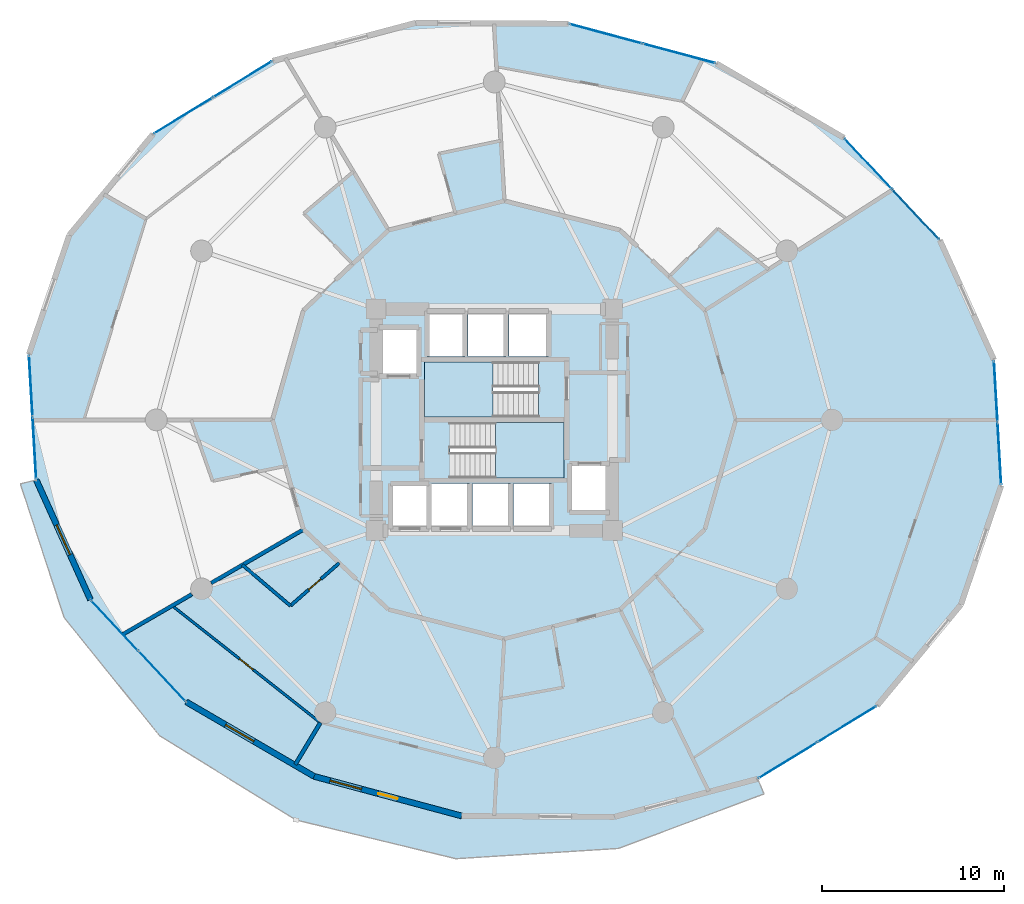
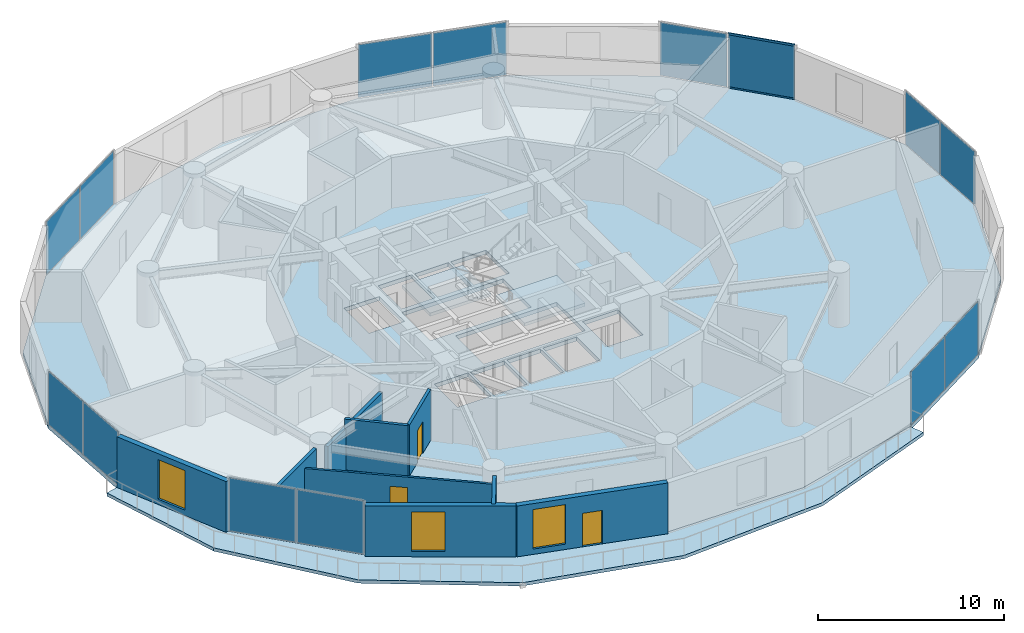
# One storey, part 16 of 23: 14 plates, 9 walls, 4 slabs, 3 doors, 3 windows, 2 members, 6 openings, 9 elements without a shape of their own.
"""IFC4 building model written with IfcOpenShell, lengths in metres."""

from ifc_helpers import new_model, si_unit, direction, frame, frame_2d, origin, origin_2d, place, context, subcontext, project, spatial, polyline, rectangle, hollow_rectangle, outline, extrude, source, transform, mapped, material, layer, layer_set, material_profile, profile_set, type_object, element, fill, aggregate, save


model = new_model("IFC4")

# Units and contexts
model_context = context("Model", 3, precision=1e-05, world=origin(), true_north=direction((0.0, 1.0)))
body_context = subcontext(model_context, "Body", "Model", "MODEL_VIEW")
ifc_project = project(units=[si_unit("LENGTHUNIT", "METRE"), si_unit("AREAUNIT", "SQUARE_METRE"), si_unit("VOLUMEUNIT", "CUBIC_METRE"), si_unit("PLANEANGLEUNIT", "RADIAN"), si_unit("MASSUNIT", "GRAM", prefix="KILO")], contexts=[model_context])

# Site, building, storey
site_placement = place(None, origin())
site = spatial("IfcSite", under=ifc_project, at=site_placement, CompositionType="ELEMENT")
building_placement = place(site_placement, origin())
building = spatial("IfcBuilding", under=site, at=building_placement, Name="Solvirekh Grand Hotel", CompositionType="ELEMENT")
storey_placement = place(building_placement, frame((0.0, 0.0, 39.199951171875)))
storey = spatial("IfcBuildingStorey", under=building, at=storey_placement, Name="L08", CompositionType="ELEMENT", Elevation=39.199951171875)

# Curtain wall, members
ifc_material_1 = material(Name="Anodized Bronze Aluminium 6063-T6", Category="aluminium")
ifc_layer_1 = layer(ifc_material_1, 0.18994140625)
ifc_layer_set_1 = layer_set([ifc_layer_1], Name="Anodized Bronze Aluminium 6063-T6")
curtain_wall_type = type_object("IfcCurtainWallType", Name="CW_Sys2_LowZoneFlushBronzeCW", PredefinedType="NOTDEFINED", material=ifc_layer_set_1)
curtain_wall_1_placement = place(storey_placement, origin())
curtain_wall_1 = element("IfcCurtainWall", 1, at=curtain_wall_1_placement, inside=storey, type_object=curtain_wall_type, Name="L08 unitised bronze-glass curtain wall CW-L08-C03", PredefinedType="NOTDEFINED")
ifc_material_profile = material_profile(ifc_material_1, hollow_rectangle(XDim=0.06005859375, YDim=0.135009765625, WallThickness=0.00390625, at=origin_2d()), Name="ALU RHS 135X60X4")
ifc_profile_set = profile_set([ifc_material_profile], Name="Anodized Bronze Aluminium 6063-T6")
member_type = type_object("IfcMemberType", Name="CWTransom_Sys2", PredefinedType="USERDEFINED", material=ifc_profile_set)
shared_shape_1 = source(origin(), body_context, "Body", "SweptSolid", [
    extrude(hollow_rectangle(XDim=0.06005859375, YDim=0.135009765625, WallThickness=0.00390625, at=origin_2d()), origin(), (0.0, 0.0, 1.0), 3.747802734375),
])
member_1_placement = place(storey_placement, frame((24.47802734375, 9.947021484375, 0.030029296875), z_axis=(-0.683871784329, 0.729602208466, 0.0), x_axis=(-0.729602208466, -0.683871784329, 0.0)))
member_1 = element("IfcMember", 2, at=member_1_placement, type_object=member_type, Name="U02 transom 1.1", ObjectType="TRANSOM", PredefinedType="USERDEFINED", context=body_context, shape_type="MappedRepresentation", body=[
    mapped(shared_shape_1, transform((0.0, 0.0, 0.0), x_axis=(1.0, 0.0, 0.0), y_axis=(0.0, 1.0, 0.0), z_axis=(0.0, 0.0, 1.0), scale=1.0)),
])
member_2_placement = place(storey_placement, frame((24.47802734375, 9.947021484375, 3.570068359375), z_axis=(-0.683871784329, 0.729602208466, 0.0), x_axis=(-0.729602208466, -0.683871784329, 0.0)))
member_2 = element("IfcMember", 3, at=member_2_placement, type_object=member_type, Name="U02 transom 1.2", ObjectType="TRANSOM", PredefinedType="USERDEFINED", context=body_context, shape_type="MappedRepresentation", body=[
    mapped(shared_shape_1, transform((0.0, 0.0, 0.0), x_axis=(1.0, 0.0, 0.0), y_axis=(0.0, 1.0, 0.0), z_axis=(0.0, 0.0, 1.0), scale=1.0)),
])

# Slab
ifc_material_2 = material(Name="Concrete C50/60", Category="concrete")
ifc_layer_2 = layer(ifc_material_2, 0.215087890625)
ifc_layer_set_2 = layer_set([ifc_layer_2], Name="Concrete C50/60")
slab_type_1 = type_object("IfcSlabType", Name="ExtCrescentBalc_215", PredefinedType="FLOOR", material=ifc_layer_set_2)
slab_1_placement = place(storey_placement, frame((0.0, 0.0, -0.21484375)))
element("IfcSlab", 4, at=slab_1_placement, inside=storey, type_object=slab_type_1, Name="L08 sweeping crescent balcony slab", PredefinedType="FLOOR", context=body_context, shape_type="SweptSolid", body=[
    extrude(outline(polyline([(-26.080078125, -3.52392578125), (-23.676025390625, -10.8759765625), (-18.427001953125, -17.37890625), (-10.909912109375, -22.02197265625), (-2.10693359375, -24.154052734375), (6.840087890625, -23.5869140625), (14.85009765625, -20.587890625), (14.4990234375, -19.760009765625), (6.6220703125, -21.85107421875), (-1.7900390625, -21.802978515625), (-9.9150390625, -19.62109375), (-16.9560546875, -15.51806640625), (-22.22607421875, -9.89599609375), (-25.20703125, -3.305908203125), (-26.080078125, -3.52392578125)])), origin(), (0.0, 0.0, 1.0), 0.21484375),
])

# Stair, slab
ifc_material_3 = material(Name="Concrete C40/50", Category="concrete")
stair_type = type_object("IfcStairType", Name="Stair_Core_1450", PredefinedType="HALF_TURN_STAIR", material=ifc_material_3)
stair_1_placement = place(storey_placement, origin())
stair_1 = element("IfcStair", 5, at=stair_1_placement, inside=storey, type_object=stair_type, Name="L08 Enclosed exit stair ST-1", PredefinedType="HALF_TURN_STAIR")
ifc_layer_3 = layer(ifc_material_3, 0.199951171875)
ifc_layer_set_3 = layer_set([ifc_layer_3], Name="Concrete C40/50")
slab_type_2 = type_object("IfcSlabType", Name="Landing_Stair_200", PredefinedType="LANDING", material=ifc_layer_set_3)
slab_2_placement = place(storey_placement, frame((0.0, 0.0, 1.60009765625)))
slab_2 = element("IfcSlab", 6, at=slab_2_placement, type_object=slab_type_2, Name="ST-1 landing 1", PredefinedType="LANDING", context=body_context, shape_type="SweptSolid", body=[
    extrude(outline(polyline([(0.070068359375, -3.199951171875), (3.85009765625, -3.199951171875), (3.85009765625, -0.14990234375), (0.070068359375, -0.14990234375), (0.070068359375, -3.199951171875)])), origin(), (0.0, 0.0, 1.0), 0.199951171875),
])
aggregate(stair_1, [slab_2])

stair_2_placement = place(storey_placement, origin())
stair_2 = element("IfcStair", 7, at=stair_2_placement, inside=storey, type_object=stair_type, Name="L08 Enclosed exit stair ST-2", PredefinedType="HALF_TURN_STAIR")
slab_3_placement = place(storey_placement, frame((0.0, 0.0, 1.60009765625)))
slab_3 = element("IfcSlab", 8, at=slab_3_placement, type_object=slab_type_2, Name="ST-2 landing 1", PredefinedType="LANDING", context=body_context, shape_type="SweptSolid", body=[
    extrude(outline(polyline([(-0.070068359375, 3.199951171875), (-3.85009765625, 3.199951171875), (-3.85009765625, 0.14990234375), (-0.070068359375, 0.14990234375), (-0.070068359375, 3.199951171875)])), origin(), (0.0, 0.0, 1.0), 0.199951171875),
])
aggregate(stair_2, [slab_3])

# Slab
ifc_layer_4 = layer(ifc_material_2, 0.260009765625)
ifc_layer_set_4 = layer_set([ifc_layer_4], Name="Concrete C50/60")
slab_type_3 = type_object("IfcSlabType", Name="Slab_GuestZ1_260", PredefinedType="FLOOR", material=ifc_layer_set_4)
slab_4_placement = place(storey_placement, frame((0.0, 0.0, -0.260009765625)))
element("IfcSlab", 9, at=slab_4_placement, inside=storey, type_object=slab_type_3, Name="L08 structural floor slab", PredefinedType="FLOOR", context=body_context, shape_type="SweptSolid", body=[
    extrude(outline(polyline([(27.907958984375, -3.60791015625), (27.507080078125, 3.305908203125), (24.52587890625, 9.89599609375), (19.256103515625, 15.51806640625), (12.215087890625, 19.62109375), (4.090087890625, 21.802978515625), (-4.322021484375, 21.85107421875), (-12.198974609375, 19.760009765625), (-18.76904296875, 15.73388671875), (-23.389892578125, 10.1689453125), (-25.60791015625, 3.60791015625), (-25.20703125, -3.305908203125), (-22.22607421875, -9.89599609375), (-16.9560546875, -15.51806640625), (-9.9150390625, -19.62109375), (-1.7900390625, -21.802978515625), (6.6220703125, -21.85107421875), (14.4990234375, -19.760009765625), (21.069091796875, -15.73388671875), (25.68994140625, -10.1689453125), (27.907958984375, -3.60791015625)]), holes=[polyline([(-2.444091796875, -0.14990234375), (3.85009765625, -0.14990234375), (3.85009765625, -3.199951171875), (-2.444091796875, -3.199951171875), (-2.444091796875, -0.14990234375)]), polyline([(2.444091796875, 0.14990234375), (-3.85009765625, 0.14990234375), (-3.85009765625, 3.199951171875), (2.444091796875, 3.199951171875), (2.444091796875, 0.14990234375)]), polyline([(-5.699951171875, -3.5), (-3.60009765625, -3.5), (-3.60009765625, -6.0), (-5.699951171875, -6.0), (-5.699951171875, -3.5)]), polyline([(-3.449951171875, -3.5), (-1.35009765625, -3.5), (-1.35009765625, -6.0), (-3.449951171875, -6.0), (-3.449951171875, -3.5)]), polyline([(-1.199951171875, -3.5), (0.89990234375, -3.5), (0.89990234375, -6.0), (-1.199951171875, -6.0), (-1.199951171875, -3.5)]), polyline([(1.050048828125, -3.5), (3.14990234375, -3.5), (3.14990234375, -6.0), (1.050048828125, -6.0), (1.050048828125, -3.5)]), polyline([(-3.699951171875, 6.0), (-1.60009765625, 6.0), (-1.60009765625, 3.5), (-3.699951171875, 3.5), (-3.699951171875, 6.0)]), polyline([(-1.449951171875, 6.0), (0.64990234375, 6.0), (0.64990234375, 3.5), (-1.449951171875, 3.5), (-1.449951171875, 6.0)]), polyline([(0.800048828125, 6.0), (3.0, 6.0), (3.0, 3.5), (0.800048828125, 3.5), (0.800048828125, 6.0)]), polyline([(-6.35009765625, 5.10009765625), (-4.14990234375, 5.10009765625), (-4.14990234375, 2.39990234375), (-6.35009765625, 2.39990234375), (-6.35009765625, 5.10009765625)]), polyline([(4.14990234375, -2.39990234375), (6.35009765625, -2.39990234375), (6.35009765625, -5.10009765625), (4.14990234375, -5.10009765625), (4.14990234375, -2.39990234375)])]), origin(), (0.0, 0.0, 1.0), 0.260009765625),
])

# Curtain wall, plates
curtain_wall_2_placement = place(storey_placement, origin())
curtain_wall_2 = element("IfcCurtainWall", 10, at=curtain_wall_2_placement, inside=storey, type_object=curtain_wall_type, Name="L08 unitised bronze-glass curtain wall CW-L08-C05", PredefinedType="NOTDEFINED")
ifc_material_4 = material(Name="Low-E Tinted Bronze Laminated Glass", Category="aluminium")
ifc_layer_5 = layer(ifc_material_4, 0.0380859375)
ifc_layer_set_5 = layer_set([ifc_layer_5], Name="Low-E Tinted Bronze Laminated Glass")
plate_type = type_object("IfcPlateType", Name="CWPanel_Low_38", PredefinedType="CURTAIN_PANEL", material=ifc_layer_set_5)
shared_shape_2 = source(origin(), body_context, "Body", "SweptSolid", [
    extrude(rectangle(XDim=4.1015625, YDim=0.0380859375, at=origin_2d()), origin(), (0.0, 0.0, 1.0), 3.47998046875),
])
plate_1_placement = place(storey_placement, frame((10.166748046875, 20.171142578125, 0.06005859375), z_axis=(0.0, 0.0, 1.0), x_axis=(-0.965779682058, 0.259363848145, 0.0)))
plate_1 = element("IfcPlate", 11, at=plate_1_placement, type_object=plate_type, Name="U02 panel 1.1", PredefinedType="CURTAIN_PANEL", context=body_context, shape_type="MappedRepresentation", body=[
    mapped(shared_shape_2, transform((0.0, 0.0, 0.0), x_axis=(1.0, 0.0, 0.0), y_axis=(0.0, 1.0, 0.0), z_axis=(0.0, 0.0, 1.0), scale=1.0)),
])
plate_2_placement = place(storey_placement, frame((6.13818359375, 21.2529296875, 0.06005859375), z_axis=(0.0, 0.0, 1.0), x_axis=(-0.965779682058, 0.259363848145, 0.0)))
plate_2 = element("IfcPlate", 12, at=plate_2_placement, type_object=plate_type, Name="U02 panel 2.1", PredefinedType="CURTAIN_PANEL", context=body_context, shape_type="MappedRepresentation", body=[
    mapped(shared_shape_2, transform((0.0, 0.0, 0.0), x_axis=(1.0, 0.0, 0.0), y_axis=(0.0, 1.0, 0.0), z_axis=(0.0, 0.0, 1.0), scale=1.0)),
])
aggregate(curtain_wall_2, [plate_1, plate_2])

curtain_wall_3_placement = place(storey_placement, origin())
curtain_wall_3 = element("IfcCurtainWall", 13, at=curtain_wall_3_placement, inside=storey, type_object=curtain_wall_type, Name="L08 unitised bronze-glass curtain wall CW-L08-C01", PredefinedType="NOTDEFINED")
shared_shape_3 = source(origin(), body_context, "Body", "SweptSolid", [
    extrude(rectangle(XDim=3.35791015625, YDim=0.0380859375, at=origin_2d()), origin(), (0.0, 0.0, 1.0), 3.47998046875),
])
plate_3_placement = place(storey_placement, frame((27.806640625, -1.862060546875, 0.06005859375), z_axis=(0.0, 0.0, 1.0), x_axis=(-0.057900962564, 0.998322331982, 0.0)))
plate_3 = element("IfcPlate", 14, at=plate_3_placement, type_object=plate_type, Name="U02 panel 1.1", PredefinedType="CURTAIN_PANEL", context=body_context, shape_type="MappedRepresentation", body=[
    mapped(shared_shape_3, transform((0.0, 0.0, 0.0), x_axis=(1.0, 0.0, 0.0), y_axis=(0.0, 1.0, 0.0), z_axis=(0.0, 0.0, 1.0), scale=1.0)),
])
plate_4_placement = place(storey_placement, frame((27.608154296875, 1.56005859375, 0.06005859375), z_axis=(0.0, 0.0, 1.0), x_axis=(-0.057900962564, 0.998322331982, 0.0)))
plate_4 = element("IfcPlate", 15, at=plate_4_placement, type_object=plate_type, Name="U02 panel 2.1", PredefinedType="CURTAIN_PANEL", context=body_context, shape_type="MappedRepresentation", body=[
    mapped(shared_shape_3, transform((0.0, 0.0, 0.0), x_axis=(1.0, 0.0, 0.0), y_axis=(0.0, 1.0, 0.0), z_axis=(0.0, 0.0, 1.0), scale=1.0)),
])
aggregate(curtain_wall_3, [plate_3, plate_4])

curtain_wall_4_placement = place(storey_placement, origin())
curtain_wall_4 = element("IfcCurtainWall", 16, at=curtain_wall_4_placement, inside=storey, type_object=curtain_wall_type, Name="L08 unitised bronze-glass curtain wall CW-L08-C11", PredefinedType="NOTDEFINED")
plate_5_placement = place(storey_placement, frame((-25.5068359375, 1.862060546875, 0.06005859375), z_axis=(0.0, 0.0, 1.0), x_axis=(0.057900962564, -0.998322331982, 0.0)))
plate_5 = element("IfcPlate", 17, at=plate_5_placement, type_object=plate_type, Name="U02 panel 1.1", PredefinedType="CURTAIN_PANEL", context=body_context, shape_type="MappedRepresentation", body=[
    mapped(shared_shape_3, transform((0.0, 0.0, 0.0), x_axis=(1.0, 0.0, 0.0), y_axis=(0.0, 1.0, 0.0), z_axis=(0.0, 0.0, 1.0), scale=1.0)),
])
plate_6_placement = place(storey_placement, frame((-25.308349609375, -1.56005859375, 0.06005859375), z_axis=(0.0, 0.0, 1.0), x_axis=(0.057900962564, -0.998322331982, 0.0)))
plate_6 = element("IfcPlate", 18, at=plate_6_placement, type_object=plate_type, Name="U02 panel 2.1", PredefinedType="CURTAIN_PANEL", context=body_context, shape_type="MappedRepresentation", body=[
    mapped(shared_shape_3, transform((0.0, 0.0, 0.0), x_axis=(1.0, 0.0, 0.0), y_axis=(0.0, 1.0, 0.0), z_axis=(0.0, 0.0, 1.0), scale=1.0)),
])
aggregate(curtain_wall_4, [plate_5, plate_6])

# Plate
shared_shape_4 = source(origin(), body_context, "Body", "SweptSolid", [
    extrude(rectangle(XDim=3.747802734375, YDim=0.0380859375, at=origin_2d()), origin(), (0.0, 0.0, 1.0), 3.47998046875),
])
plate_7_placement = place(storey_placement, frame((23.196533203125, 11.314208984375, 0.06005859375), z_axis=(0.0, 0.0, 1.0), x_axis=(-0.683897960309, 0.729577672277, 0.0)))
plate_7 = element("IfcPlate", 19, at=plate_7_placement, type_object=plate_type, Name="U02 panel 1.1", PredefinedType="CURTAIN_PANEL", context=body_context, shape_type="MappedRepresentation", body=[
    mapped(shared_shape_4, transform((0.0, 0.0, 0.0), x_axis=(1.0, 0.0, 0.0), y_axis=(0.0, 1.0, 0.0), z_axis=(0.0, 0.0, 1.0), scale=1.0)),
])

plate_8_placement = place(storey_placement, frame((20.58544921875, 14.099853515625, 0.06005859375), z_axis=(0.0, 0.0, 1.0), x_axis=(-0.683897960309, 0.729577672277, 0.0)))
plate_8 = element("IfcPlate", 20, at=plate_8_placement, type_object=plate_type, Name="U02 panel 2.1", PredefinedType="CURTAIN_PANEL", context=body_context, shape_type="MappedRepresentation", body=[
    mapped(shared_shape_4, transform((0.0, 0.0, 0.0), x_axis=(1.0, 0.0, 0.0), y_axis=(0.0, 1.0, 0.0), z_axis=(0.0, 0.0, 1.0), scale=1.0)),
])

aggregate(curtain_wall_1, [member_1, member_2, plate_7, plate_8])

# Curtain wall, plates
curtain_wall_5_placement = place(storey_placement, origin())
curtain_wall_5 = element("IfcCurtainWall", 21, at=curtain_wall_5_placement, inside=storey, type_object=curtain_wall_type, Name="L08 unitised bronze-glass curtain wall CW-L08-C08", PredefinedType="NOTDEFINED")
plate_9_placement = place(storey_placement, frame((-13.8564453125, 18.744384765625, 0.06005859375), z_axis=(0.0, 0.0, 1.0), x_axis=(-0.852646014098, -0.522489018681, 0.0)))
plate_9 = element("IfcPlate", 22, at=plate_9_placement, type_object=plate_type, Name="U02 panel 1.1", PredefinedType="CURTAIN_PANEL", context=body_context, shape_type="MappedRepresentation", body=[
    mapped(shared_shape_4, transform((0.0, 0.0, 0.0), x_axis=(1.0, 0.0, 0.0), y_axis=(0.0, 1.0, 0.0), z_axis=(0.0, 0.0, 1.0), scale=1.0)),
])
plate_10_placement = place(storey_placement, frame((-17.111572265625, 16.749755859375, 0.06005859375), z_axis=(0.0, 0.0, 1.0), x_axis=(-0.852646014098, -0.522489018681, 0.0)))
plate_10 = element("IfcPlate", 23, at=plate_10_placement, type_object=plate_type, Name="U02 panel 2.1", PredefinedType="CURTAIN_PANEL", context=body_context, shape_type="MappedRepresentation", body=[
    mapped(shared_shape_4, transform((0.0, 0.0, 0.0), x_axis=(1.0, 0.0, 0.0), y_axis=(0.0, 1.0, 0.0), z_axis=(0.0, 0.0, 1.0), scale=1.0)),
])
aggregate(curtain_wall_5, [plate_9, plate_10])

curtain_wall_6_placement = place(storey_placement, origin())
curtain_wall_6 = element("IfcCurtainWall", 24, at=curtain_wall_6_placement, inside=storey, type_object=curtain_wall_type, Name="L08 unitised bronze-glass curtain wall CW-L08-C13", PredefinedType="NOTDEFINED")
plate_11_placement = place(storey_placement, frame((-20.896484375, -11.314208984375, 0.06005859375), z_axis=(0.0, 0.0, 1.0), x_axis=(0.683897960309, -0.729577672277, 0.0)))
plate_11 = element("IfcPlate", 25, at=plate_11_placement, type_object=plate_type, Name="U02 panel 1.1", PredefinedType="CURTAIN_PANEL", context=body_context, shape_type="MappedRepresentation", body=[
    mapped(shared_shape_4, transform((0.0, 0.0, 0.0), x_axis=(1.0, 0.0, 0.0), y_axis=(0.0, 1.0, 0.0), z_axis=(0.0, 0.0, 1.0), scale=1.0)),
])
plate_12_placement = place(storey_placement, frame((-18.285400390625, -14.099853515625, 0.06005859375), z_axis=(0.0, 0.0, 1.0), x_axis=(0.683897960309, -0.729577672277, 0.0)))
plate_12 = element("IfcPlate", 26, at=plate_12_placement, type_object=plate_type, Name="U02 panel 2.1", PredefinedType="CURTAIN_PANEL", context=body_context, shape_type="MappedRepresentation", body=[
    mapped(shared_shape_4, transform((0.0, 0.0, 0.0), x_axis=(1.0, 0.0, 0.0), y_axis=(0.0, 1.0, 0.0), z_axis=(0.0, 0.0, 1.0), scale=1.0)),
])
aggregate(curtain_wall_6, [plate_11, plate_12])

curtain_wall_7_placement = place(storey_placement, origin())
curtain_wall_7 = element("IfcCurtainWall", 27, at=curtain_wall_7_placement, inside=storey, type_object=curtain_wall_type, Name="L08 unitised bronze-glass curtain wall CW-L08-C18", PredefinedType="NOTDEFINED")
plate_13_placement = place(storey_placement, frame((16.156494140625, -18.744384765625, 0.06005859375), z_axis=(0.0, 0.0, 1.0), x_axis=(0.852646014098, 0.522489018681, 0.0)))
plate_13 = element("IfcPlate", 28, at=plate_13_placement, type_object=plate_type, Name="U02 panel 1.1", PredefinedType="CURTAIN_PANEL", context=body_context, shape_type="MappedRepresentation", body=[
    mapped(shared_shape_4, transform((0.0, 0.0, 0.0), x_axis=(1.0, 0.0, 0.0), y_axis=(0.0, 1.0, 0.0), z_axis=(0.0, 0.0, 1.0), scale=1.0)),
])
plate_14_placement = place(storey_placement, frame((19.41162109375, -16.749755859375, 0.06005859375), z_axis=(0.0, 0.0, 1.0), x_axis=(0.852646014098, 0.522489018681, 0.0)))
plate_14 = element("IfcPlate", 29, at=plate_14_placement, type_object=plate_type, Name="U02 panel 2.1", PredefinedType="CURTAIN_PANEL", context=body_context, shape_type="MappedRepresentation", body=[
    mapped(shared_shape_4, transform((0.0, 0.0, 0.0), x_axis=(1.0, 0.0, 0.0), y_axis=(0.0, 1.0, 0.0), z_axis=(0.0, 0.0, 1.0), scale=1.0)),
])
aggregate(curtain_wall_7, [plate_13, plate_14])

# Wall, opening, window
ifc_material_5 = material(Name="Precast concrete C45/55", Category="concrete")
ifc_layer_6 = layer(ifc_material_5, 0.320068359375)
ifc_layer_set_6 = layer_set([ifc_layer_6], Name="Precast concrete C45/55")
wall_type_1 = type_object("IfcWallType", Name="ExtLobbyWall_RC320", PredefinedType="SOLIDWALL", material=ifc_layer_set_6)
wall_1_placement = place(storey_placement, frame((-22.22607421875, -9.89599609375, 0.0), z_axis=(0.0, 0.0, 1.0), x_axis=(-0.412136514118, 0.911122106927, 0.0)))
wall_1 = element("IfcWall", 30, at=wall_1_placement, inside=storey, type_object=wall_type_1, Name="L08 exterior structural wall chord 12", PredefinedType="SOLIDWALL", context=body_context, shape_type="SweptSolid", body=[
    extrude(rectangle(XDim=7.23291015625, YDim=0.320068359375, at=frame_2d((3.616455078125, 0.0))), origin(), (0.0, 0.0, 1.0), 3.340087890625),
])
opening_1_placement = place(wall_1_placement, frame((2.716064453125, 0.0, 0.35009765625)))
opening_1 = element("IfcOpeningElement", 31, at=opening_1_placement, cuts=wall_1, Name="Opening W02", PredefinedType="OPENING", context=body_context, shape_type="SweptSolid", body=[
    extrude(rectangle(XDim=1.800048828125, YDim=2.60009765625, at=frame_2d((0.89990234375, 1.300048828125))), frame((0.0, 0.169921875, 0.0), z_axis=(0.0, -1.0, 0.0), x_axis=(1.0, 0.0, 0.0)), (0.0, 0.0, 1.0), 0.340087890625),
])
window_type = type_object("IfcWindowType", Name="Win_LobbyExt_1800X2600", PartitioningType="SINGLE_PANEL", PredefinedType="WINDOW", material=ifc_material_4)
window_1_placement = place(opening_1_placement, origin())
window_1 = element("IfcWindow", 32, at=window_1_placement, inside=storey, type_object=window_type, Name="L08 panoramic bronze-framed window 12", OverallHeight=2.60009765625, OverallWidth=1.800048828125, PartitioningType="SINGLE_PANEL", PredefinedType="WINDOW", context=body_context, shape_type="SweptSolid", body=[
    extrude(rectangle(XDim=1.800048828125, YDim=2.60009765625, at=frame_2d((0.89990234375, 1.300048828125))), frame((0.0, 0.030029296875, 0.0), z_axis=(0.0, -1.0, 0.0), x_axis=(1.0, 0.0, 0.0)), (0.0, 0.0, 1.0), 0.06005859375),
])
fill(opening_1, window_1)

wall_2_placement = place(storey_placement, frame((-9.9150390625, -19.62109375, 0.0), z_axis=(0.0, 0.0, 1.0), x_axis=(-0.864004822612, 0.503483531512, 0.0)))
wall_2 = element("IfcWall", 33, at=wall_2_placement, inside=storey, type_object=wall_type_1, Name="L08 exterior structural wall chord 14", PredefinedType="SOLIDWALL", context=body_context, shape_type="SweptSolid", body=[
    extrude(rectangle(XDim=8.149169921875, YDim=0.320068359375, at=frame_2d((4.07470703125, 0.0))), origin(), (0.0, 0.0, 1.0), 3.340087890625),
])
opening_2_placement = place(wall_2_placement, frame((3.8359375, 0.0, 0.35009765625)))
opening_2 = element("IfcOpeningElement", 34, at=opening_2_placement, cuts=wall_2, Name="Opening W02", PredefinedType="OPENING", context=body_context, shape_type="SweptSolid", body=[
    extrude(rectangle(XDim=1.800048828125, YDim=2.60009765625, at=frame_2d((0.89990234375, 1.300048828125))), frame((0.0, 0.169921875, 0.0), z_axis=(0.0, -1.0, 0.0), x_axis=(1.0, 0.0, 0.0)), (0.0, 0.0, 1.0), 0.340087890625),
])
window_2_placement = place(opening_2_placement, origin())
window_2 = element("IfcWindow", 35, at=window_2_placement, inside=storey, type_object=window_type, Name="L08 panoramic bronze-framed window 14", OverallHeight=2.60009765625, OverallWidth=1.800048828125, PartitioningType="SINGLE_PANEL", PredefinedType="WINDOW", context=body_context, shape_type="SweptSolid", body=[
    extrude(rectangle(XDim=1.800048828125, YDim=2.60009765625, at=frame_2d((0.89990234375, 1.300048828125))), frame((0.0, 0.030029296875, 0.0), z_axis=(0.0, -1.0, 0.0), x_axis=(1.0, 0.0, 0.0)), (0.0, 0.0, 1.0), 0.06005859375),
])
fill(opening_2, window_2)

# Wall, openings, door, window
wall_3_placement = place(storey_placement, frame((-1.7900390625, -21.802978515625, 0.0), z_axis=(0.0, 0.0, 1.0), x_axis=(-0.965783113011, 0.259351072145, 0.0)))
wall_3 = element("IfcWall", 36, at=wall_3_placement, inside=storey, type_object=wall_type_1, Name="L08 exterior structural wall chord 15", PredefinedType="SOLIDWALL", context=body_context, shape_type="SweptSolid", body=[
    extrude(rectangle(XDim=8.412841796875, YDim=0.320068359375, at=frame_2d((4.20654296875, 0.0))), origin(), (0.0, 0.0, 1.0), 3.340087890625),
])
opening_3_placement = place(wall_3_placement, frame((5.708984375, 0.0, 0.35009765625)))
opening_3 = element("IfcOpeningElement", 37, at=opening_3_placement, cuts=wall_3, Name="Opening W02", PredefinedType="OPENING", context=body_context, shape_type="SweptSolid", body=[
    extrude(rectangle(XDim=1.800048828125, YDim=2.60009765625, at=frame_2d((0.89990234375, 1.300048828125))), frame((0.0, 0.169921875, 0.0), z_axis=(0.0, -1.0, 0.0), x_axis=(1.0, 0.0, 0.0)), (0.0, 0.0, 1.0), 0.340087890625),
])
opening_4_placement = place(wall_3_placement, frame((3.656005859375, 0.0, 0.0)))
opening_4 = element("IfcOpeningElement", 38, at=opening_4_placement, cuts=wall_3, Name="Opening D03", PredefinedType="OPENING", context=body_context, shape_type="SweptSolid", body=[
    extrude(rectangle(XDim=1.10009765625, YDim=2.199951171875, at=frame_2d((0.550048828125, 1.10009765625))), frame((0.0, 0.169921875, 0.0), z_axis=(0.0, -1.0, 0.0), x_axis=(1.0, 0.0, 0.0)), (0.0, 0.0, 1.0), 0.340087890625),
])
door_type_1 = type_object("IfcDoorType", Name="Door_ExtBalcony_1100X2200", OperationType="NOTDEFINED", PredefinedType="DOOR", material=ifc_material_1)
door_1_placement = place(opening_4_placement, origin())
door_1 = element("IfcDoor", 39, at=door_1_placement, inside=storey, type_object=door_type_1, Name="L08 Crescent balcony glazed door (15)", OperationType="SINGLE_SWING_RIGHT", OverallHeight=2.199951171875, OverallWidth=1.10009765625, PredefinedType="DOOR", context=body_context, shape_type="SweptSolid", body=[
    extrude(rectangle(XDim=1.10009765625, YDim=2.199951171875, at=frame_2d((0.550048828125, 1.10009765625))), frame((0.0, 0.02490234375, 0.0), z_axis=(0.0, -1.0, 0.0), x_axis=(1.0, 0.0, 0.0)), (0.0, 0.0, 1.0), 0.050048828125),
])
fill(opening_4, door_1)
window_3_placement = place(opening_3_placement, origin())
window_3 = element("IfcWindow", 40, at=window_3_placement, inside=storey, type_object=window_type, Name="L08 exterior side window 15", OverallHeight=2.60009765625, OverallWidth=1.800048828125, PartitioningType="SINGLE_PANEL", PredefinedType="WINDOW", context=body_context, shape_type="SweptSolid", body=[
    extrude(rectangle(XDim=1.800048828125, YDim=2.60009765625, at=frame_2d((0.89990234375, 1.300048828125))), frame((0.0, 0.030029296875, 0.0), z_axis=(0.0, -1.0, 0.0), x_axis=(1.0, 0.0, 0.0)), (0.0, 0.0, 1.0), 0.06005859375),
])
fill(opening_3, window_3)

# Wall, opening, door
ifc_material_6 = material(Name="Acoustic Gypsum Partition Assembly")
ifc_layer_7 = layer(ifc_material_6, 0.135009765625)
ifc_layer_set_7 = layer_set([ifc_layer_7], Name="Acoustic Gypsum Partition Assembly")
wall_type_2 = type_object("IfcWallType", Name="Part_RoomInt_135", PredefinedType="PARTITIONING", material=ifc_layer_set_7)
wall_4_placement = place(storey_placement, frame((-17.72900390625, -10.22705078125, 0.0), z_axis=(0.0, 0.0, 1.0), x_axis=(0.785062483649, -0.61941657773, 0.0)))
wall_4 = element("IfcWall", 41, at=wall_4_placement, inside=storey, type_object=wall_type_2, Name="L08 Executive Suite 1005 Living Room bedroom screen wall", PredefinedType="PARTITIONING", context=body_context, shape_type="SweptSolid", body=[
    extrude(rectangle(XDim=10.395263671875, YDim=0.135009765625, at=frame_2d((5.19775390625, 0.0))), origin(), (0.0, 0.0, 1.0), 2.7919921875),
])
opening_5_placement = place(wall_4_placement, frame((4.722900390625, 0.0, 0.0)))
opening_5 = element("IfcOpeningElement", 42, at=opening_5_placement, cuts=wall_4, Name="Opening D10", PredefinedType="OPENING", context=body_context, shape_type="SweptSolid", body=[
    extrude(rectangle(XDim=0.949951171875, YDim=2.10009765625, at=frame_2d((0.47509765625, 1.050048828125))), frame((0.0, 0.07763671875, 0.0), z_axis=(0.0, -1.0, 0.0), x_axis=(1.0, 0.0, 0.0)), (0.0, 0.0, 1.0), 0.155029296875),
])
door_type_2 = type_object("IfcDoorType", Name="Door_RoomInt_950X2100", OperationType="NOTDEFINED", PredefinedType="DOOR", material=ifc_material_1)
door_2_placement = place(opening_5_placement, origin())
door_2 = element("IfcDoor", 43, at=door_2_placement, inside=storey, type_object=door_type_2, Name="L08 Executive Suite 1005 Living Room master bedroom door", OperationType="SINGLE_SWING_LEFT", OverallHeight=2.10009765625, OverallWidth=0.949951171875, PredefinedType="DOOR", context=body_context, shape_type="SweptSolid", body=[
    extrude(rectangle(XDim=0.949951171875, YDim=2.10009765625, at=frame_2d((0.47509765625, 1.050048828125))), frame((0.0, 0.02490234375, 0.0), z_axis=(0.0, -1.0, 0.0), x_axis=(1.0, 0.0, 0.0)), (0.0, 0.0, 1.0), 0.050048828125),
])
fill(opening_5, door_2)

# Walls
ifc_layer_8 = layer(ifc_material_6, 0.2099609375)
ifc_layer_set_8 = layer_set([ifc_layer_8], Name="Acoustic Gypsum Partition Assembly")
wall_type_3 = type_object("IfcWallType", Name="Part_SuiteDemise_210", PredefinedType="PARTITIONING", material=ifc_layer_set_8)
wall_5_placement = place(storey_placement, frame((-10.491943359375, -6.02490234375, 0.0), z_axis=(0.0, 0.0, 1.0), x_axis=(-0.86478894661, -0.502135517387, 0.0)))
element("IfcWall", 44, at=wall_5_placement, inside=storey, type_object=wall_type_3, Name="L08 suite radial wall 8 (A)", PredefinedType="PARTITIONING", context=body_context, shape_type="SweptSolid", body=[
    extrude(rectangle(XDim=5.881103515625, YDim=0.2099609375, at=frame_2d((2.9404296875, 0.0))), origin(), (0.0, 0.0, 1.0), 2.708984375),
])
wall_6_placement = place(storey_placement, frame((-16.64990234375, -9.60009765625, 0.0), z_axis=(0.0, 0.0, 1.0), x_axis=(-0.864794458223, -0.502126025044, 0.0)))
element("IfcWall", 45, at=wall_6_placement, inside=storey, type_object=wall_type_3, Name="L08 suite radial wall 8 (B)", PredefinedType="PARTITIONING", context=body_context, shape_type="SweptSolid", body=[
    extrude(rectangle(XDim=4.34326171875, YDim=0.2099609375, at=frame_2d((2.171630859375, 0.0))), origin(), (0.0, 0.0, 1.0), 3.340087890625),
])
wall_7_placement = place(storey_placement, frame((-9.568115234375, -16.666015625, 0.0), z_axis=(0.0, 0.0, 1.0), x_axis=(-0.514883110299, -0.857260393771, 0.0)))
element("IfcWall", 46, at=wall_7_placement, inside=storey, type_object=wall_type_3, Name="L08 Executive Suite 1005 Living Room dividing partition 1", PredefinedType="PARTITIONING", context=body_context, shape_type="SweptSolid", body=[
    extrude(rectangle(XDim=2.6875, YDim=0.2099609375, at=frame_2d((1.34375, 0.0))), origin(), (0.0, 0.0, 1.0), 3.340087890625),
])
ifc_layer_9 = layer(ifc_material_6, 0.175048828125)
ifc_layer_set_9 = layer_set([ifc_layer_9], Name="Acoustic Gypsum Partition Assembly")
wall_type_4 = type_object("IfcWallType", Name="Plumb_Ensuite_175", PredefinedType="PLUMBINGWALL", material=ifc_layer_set_9)
wall_8_placement = place(storey_placement, frame((-13.863037109375, -7.98193359375, 0.0), z_axis=(0.0, 0.0, 1.0), x_axis=(0.761713672962, -0.647913790888, 0.0)))
element("IfcWall", 47, at=wall_8_placement, inside=storey, type_object=wall_type_4, Name="L08 En-suite Bathroom 1005 outer plumbing wall", PredefinedType="PLUMBINGWALL", context=body_context, shape_type="SweptSolid", body=[
    extrude(rectangle(XDim=3.47119140625, YDim=0.175048828125, at=frame_2d((1.735595703125, 0.0))), origin(), (0.0, 0.0, 1.0), 3.340087890625),
])

# Wall, opening, door
wall_9_placement = place(storey_placement, frame((-8.531982421875, -7.8779296875, 0.0), z_axis=(0.0, 0.0, 1.0), x_axis=(-0.752314103663, -0.658804591233, 0.0)))
wall_9 = element("IfcWall", 48, at=wall_9_placement, inside=storey, type_object=wall_type_4, Name="L08 En-suite Bathroom 1005 entry plumbing wall", PredefinedType="PLUMBINGWALL", context=body_context, shape_type="SweptSolid", body=[
    extrude(rectangle(XDim=3.57177734375, YDim=0.175048828125, at=frame_2d((1.785888671875, 0.0))), origin(), (0.0, 0.0, 1.0), 3.340087890625),
])
opening_6_placement = place(wall_9_placement, frame((1.3359375, 0.0, 0.0)))
opening_6 = element("IfcOpeningElement", 49, at=opening_6_placement, cuts=wall_9, Name="Opening D09", PredefinedType="OPENING", context=body_context, shape_type="SweptSolid", body=[
    extrude(rectangle(XDim=0.89990234375, YDim=2.10009765625, at=frame_2d((0.449951171875, 1.050048828125))), frame((0.0, 0.09765625, 0.0), z_axis=(0.0, -1.0, 0.0), x_axis=(1.0, 0.0, 0.0)), (0.0, 0.0, 1.0), 0.195068359375),
])
door_type_3 = type_object("IfcDoorType", Name="Door_Ensuite_900X2100", OperationType="NOTDEFINED", PredefinedType="DOOR", material=ifc_material_1)
door_3_placement = place(opening_6_placement, origin())
door_3 = element("IfcDoor", 50, at=door_3_placement, inside=storey, type_object=door_type_3, Name="L08 En-suite Bathroom 1005 door", OperationType="SINGLE_SWING_LEFT", OverallHeight=2.10009765625, OverallWidth=0.89990234375, PredefinedType="DOOR", context=body_context, shape_type="SweptSolid", body=[
    extrude(rectangle(XDim=0.89990234375, YDim=2.10009765625, at=frame_2d((0.449951171875, 1.050048828125))), frame((0.0, 0.02490234375, 0.0), z_axis=(0.0, -1.0, 0.0), x_axis=(1.0, 0.0, 0.0)), (0.0, 0.0, 1.0), 0.050048828125),
])
fill(opening_6, door_3)

save(model, "model.ifc")
